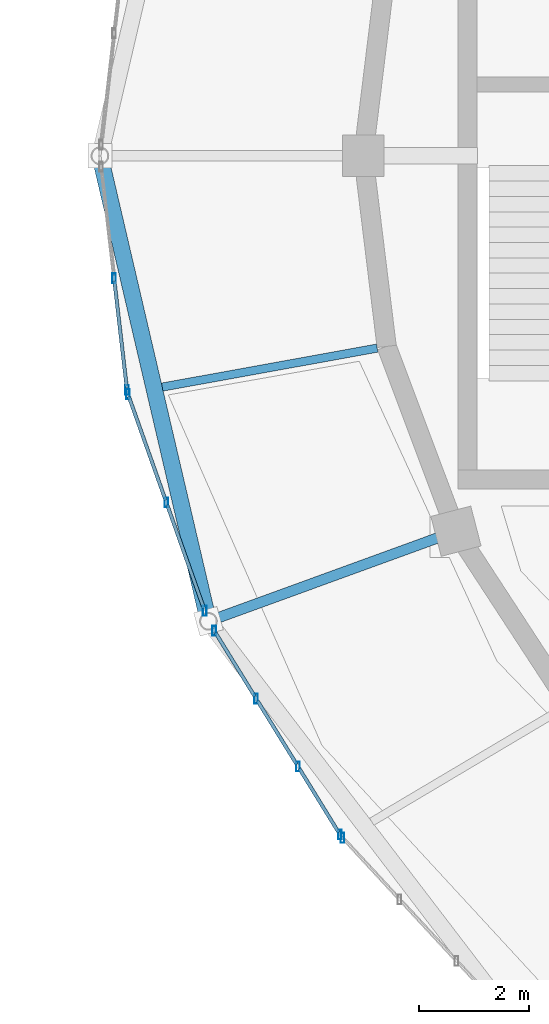
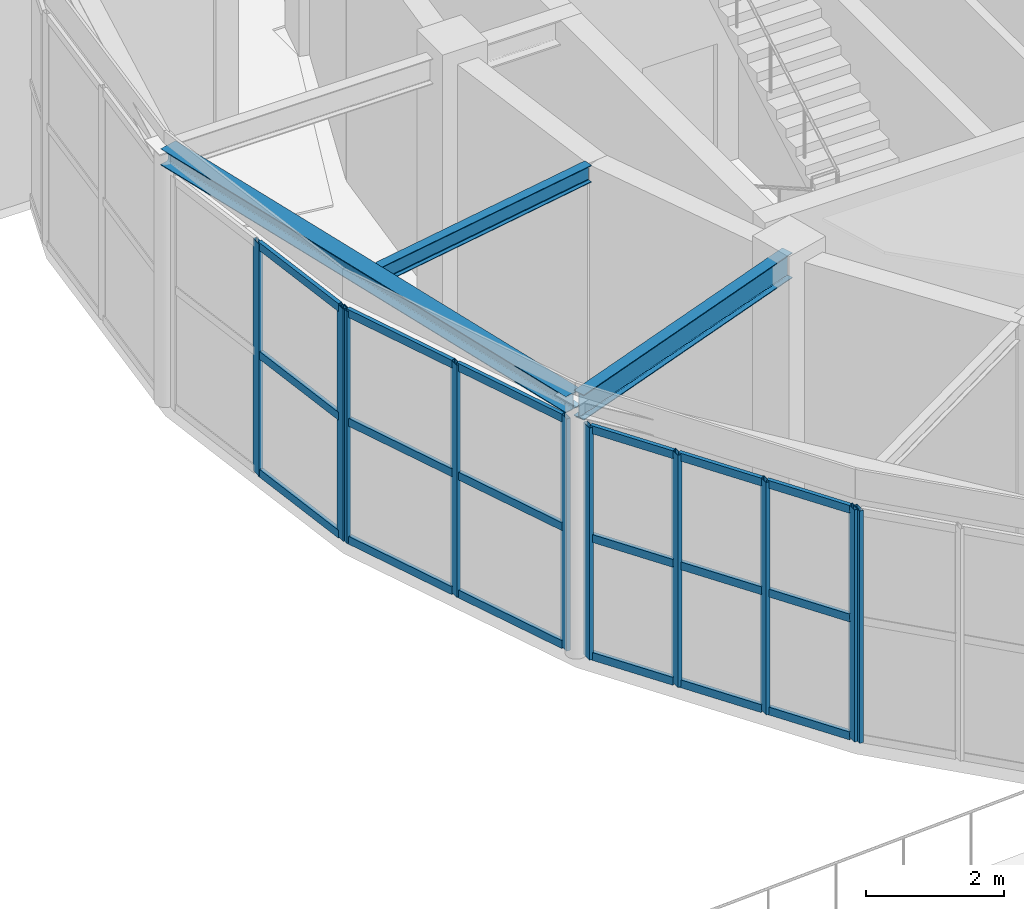
# One storey, part 29 of 108: 28 members, 3 beams, 4 elements without a shape of their own.
"""IFC4 building model written with IfcOpenShell, lengths in metres."""

from ifc_helpers import new_model, si_unit, direction, frame, origin, origin_2d, place, context, subcontext, project, spatial, hollow_rectangle, i_section, extrude, material, material_profile, profile_set, type_object, element, aggregate, save


model = new_model("IFC4")

# Units and contexts
model_context = context("Model", 3, precision=1e-05, world=origin(), true_north=direction((0.0, 1.0)))
body_context = subcontext(model_context, "Body", "Model", "MODEL_VIEW")
ifc_project = project(units=[si_unit("LENGTHUNIT", "METRE"), si_unit("AREAUNIT", "SQUARE_METRE"), si_unit("VOLUMEUNIT", "CUBIC_METRE"), si_unit("PLANEANGLEUNIT", "RADIAN"), si_unit("MASSUNIT", "GRAM", prefix="KILO")], contexts=[model_context])

# Site, building, storey
site_placement = place(None, origin())
site = spatial("IfcSite", under=ifc_project, at=site_placement, CompositionType="ELEMENT")
building_placement = place(site_placement, origin())
building = spatial("IfcBuilding", under=site, at=building_placement, Name="Tarnveldt Headland Concert Hall", CompositionType="ELEMENT")
storey_placement = place(building_placement, frame((0.0, 0.0, 9.60009765625)))
storey = spatial("IfcBuildingStorey", under=building, at=storey_placement, Name="L02", CompositionType="ELEMENT", Elevation=9.60009765625)

# Curtain wall, members
ifc_material_1 = material(Name="Marine-anodised aluminium EN AW-6063-T6", Category="aluminium")
curtain_wall_type = type_object("IfcCurtainWallType", Name="CW-F3", PredefinedType="NOTDEFINED", material=ifc_material_1)
curtain_wall_1_placement = place(storey_placement, origin())
curtain_wall_1 = element("IfcCurtainWall", 1, at=curtain_wall_1_placement, inside=storey, type_object=curtain_wall_type, Name="Curtain wall CW-L02-078", PredefinedType="NOTDEFINED")
ifc_material_profile_1 = material_profile(ifc_material_1, hollow_rectangle(XDim=0.06494140625, YDim=0.179931640625, WallThickness=0.00390625, at=origin_2d()), Name="ALU MULLION 65x180x4", Category="aluminium")
ifc_profile_set_1 = profile_set([ifc_material_profile_1], Name="Marine-anodised aluminium EN AW-6063-T6")
member_type_1 = type_object("IfcMemberType", Name="ML-180", PredefinedType="MULLION", material=ifc_profile_set_1)
member_1_placement = place(storey_placement, frame((50.95849609375, 52.266357421875, 0.0), z_axis=(0.0, 0.0, 1.0), x_axis=(1.0, 0.0, 0.0)))
member_1 = element("IfcMember", 2, at=member_1_placement, type_object=member_type_1, Name="Mullion CW-L02-078-2", PredefinedType="MULLION", context=body_context, shape_type="SweptSolid", body=[
    extrude(hollow_rectangle(XDim=0.06494140625, YDim=0.179931640625, WallThickness=0.00390625, at=origin_2d()), origin(), (0.0, 0.0, 1.0), 4.10791015625),
])
member_2_placement = place(storey_placement, frame((51.193603515625, 50.233154296875, 0.0), z_axis=(0.0, 0.0, 1.0), x_axis=(1.0, 0.0, 0.0)))
member_2 = element("IfcMember", 3, at=member_2_placement, type_object=member_type_1, Name="Mullion CW-L02-078-3", PredefinedType="MULLION", context=body_context, shape_type="SweptSolid", body=[
    extrude(hollow_rectangle(XDim=0.06494140625, YDim=0.179931640625, WallThickness=0.00390625, at=origin_2d()), origin(), (0.0, 0.0, 1.0), 4.10791015625),
])

curtain_wall_2_placement = place(storey_placement, origin())
curtain_wall_2 = element("IfcCurtainWall", 4, at=curtain_wall_2_placement, inside=storey, type_object=curtain_wall_type, Name="Curtain wall CW-L02-079", PredefinedType="NOTDEFINED")
member_3_placement = place(storey_placement, frame((51.211669921875, 50.15576171875, 0.0), z_axis=(0.0, 0.0, 1.0), x_axis=(1.0, 0.0, 0.0)))
member_3 = element("IfcMember", 5, at=member_3_placement, type_object=member_type_1, Name="Mullion CW-L02-079-1", PredefinedType="MULLION", context=body_context, shape_type="SweptSolid", body=[
    extrude(hollow_rectangle(XDim=0.06494140625, YDim=0.179931640625, WallThickness=0.00390625, at=origin_2d()), origin(), (0.0, 0.0, 1.0), 4.10791015625),
])
member_4_placement = place(storey_placement, frame((51.9111328125, 48.18212890625, 0.0), z_axis=(0.0, 0.0, 1.0), x_axis=(1.0, 0.0, 0.0)))
member_4 = element("IfcMember", 6, at=member_4_placement, type_object=member_type_1, Name="Mullion CW-L02-079-2", PredefinedType="MULLION", context=body_context, shape_type="SweptSolid", body=[
    extrude(hollow_rectangle(XDim=0.06494140625, YDim=0.179931640625, WallThickness=0.00390625, at=origin_2d()), origin(), (0.0, 0.0, 1.0), 4.10791015625),
])
member_5_placement = place(storey_placement, frame((52.610595703125, 46.208251953125, 0.0), z_axis=(0.0, 0.0, 1.0), x_axis=(1.0, 0.0, 0.0)))
member_5 = element("IfcMember", 7, at=member_5_placement, type_object=member_type_1, Name="Mullion CW-L02-079-3", PredefinedType="MULLION", context=body_context, shape_type="SweptSolid", body=[
    extrude(hollow_rectangle(XDim=0.06494140625, YDim=0.179931640625, WallThickness=0.00390625, at=origin_2d()), origin(), (0.0, 0.0, 1.0), 4.10791015625),
])

curtain_wall_3_placement = place(storey_placement, origin())
curtain_wall_3 = element("IfcCurtainWall", 8, at=curtain_wall_3_placement, inside=storey, type_object=curtain_wall_type, Name="Curtain wall CW-L02-080", PredefinedType="NOTDEFINED")
member_6_placement = place(storey_placement, frame((52.7841796875, 45.845947265625, 0.0), z_axis=(0.0, 0.0, 1.0), x_axis=(1.0, 0.0, 0.0)))
member_6 = element("IfcMember", 9, at=member_6_placement, type_object=member_type_1, Name="Mullion CW-L02-080-1", PredefinedType="MULLION", context=body_context, shape_type="SweptSolid", body=[
    extrude(hollow_rectangle(XDim=0.06494140625, YDim=0.179931640625, WallThickness=0.00390625, at=origin_2d()), origin(), (0.0, 0.0, 1.0), 4.10791015625),
])
member_7_placement = place(storey_placement, frame((53.547119140625, 44.608642578125, 0.0), z_axis=(0.0, 0.0, 1.0), x_axis=(1.0, 0.0, 0.0)))
member_7 = element("IfcMember", 10, at=member_7_placement, type_object=member_type_1, Name="Mullion CW-L02-080-2", PredefinedType="MULLION", context=body_context, shape_type="SweptSolid", body=[
    extrude(hollow_rectangle(XDim=0.06494140625, YDim=0.179931640625, WallThickness=0.00390625, at=origin_2d()), origin(), (0.0, 0.0, 1.0), 4.10791015625),
])
member_8_placement = place(storey_placement, frame((54.310302734375, 43.371337890625, 0.0), z_axis=(0.0, 0.0, 1.0), x_axis=(1.0, 0.0, 0.0)))
member_8 = element("IfcMember", 11, at=member_8_placement, type_object=member_type_1, Name="Mullion CW-L02-080-3", PredefinedType="MULLION", context=body_context, shape_type="SweptSolid", body=[
    extrude(hollow_rectangle(XDim=0.06494140625, YDim=0.179931640625, WallThickness=0.00390625, at=origin_2d()), origin(), (0.0, 0.0, 1.0), 4.10791015625),
])
member_9_placement = place(storey_placement, frame((55.073486328125, 42.134033203125, 0.0), z_axis=(0.0, 0.0, 1.0), x_axis=(1.0, 0.0, 0.0)))
member_9 = element("IfcMember", 12, at=member_9_placement, type_object=member_type_1, Name="Mullion CW-L02-080-4", PredefinedType="MULLION", context=body_context, shape_type="SweptSolid", body=[
    extrude(hollow_rectangle(XDim=0.06494140625, YDim=0.179931640625, WallThickness=0.00390625, at=origin_2d()), origin(), (0.0, 0.0, 1.0), 4.10791015625),
])

# Curtain wall, member
curtain_wall_4_placement = place(storey_placement, origin())
curtain_wall_4 = element("IfcCurtainWall", 13, at=curtain_wall_4_placement, inside=storey, type_object=curtain_wall_type, Name="Curtain wall CW-L02-081", PredefinedType="NOTDEFINED")
member_10_placement = place(storey_placement, frame((55.12158203125, 42.07080078125, 0.0), z_axis=(0.0, 0.0, 1.0), x_axis=(1.0, 0.0, 0.0)))
member_10 = element("IfcMember", 14, at=member_10_placement, type_object=member_type_1, Name="Mullion CW-L02-081-1", PredefinedType="MULLION", context=body_context, shape_type="SweptSolid", body=[
    extrude(hollow_rectangle(XDim=0.06494140625, YDim=0.179931640625, WallThickness=0.00390625, at=origin_2d()), origin(), (0.0, 0.0, 1.0), 4.10791015625),
])
aggregate(curtain_wall_4, [member_10])

# Beams
ifc_material_2 = material(Name="Steel S355", Category="steel")
ifc_material_profile_2 = material_profile(ifc_material_2, i_section(OverallWidth=0.300048828125, OverallDepth=0.2900390625, WebThickness=0.008544921875, FlangeThickness=0.013916015625, FilletRadius=0.027099609375, at=origin_2d()), Name="HEA300", Category="steel")
ifc_profile_set_2 = profile_set([ifc_material_profile_2], Name="Steel S355")
beam_type_1 = type_object("IfcBeamType", Name="SB-HEA300", PredefinedType="SPANDREL", material=ifc_profile_set_2)
beam_1_placement = place(storey_placement, frame((50.713623046875, 54.441650390625, 4.4248046875), z_axis=(0.227123591729, -0.973865942561, 0.0), x_axis=(0.973865942561, 0.227123591729, 0.0)))
element("IfcBeam", 15, at=beam_1_placement, inside=storey, type_object=beam_type_1, Name="Framing beam L02-1022", PredefinedType="SPANDREL", context=body_context, shape_type="SweptSolid", body=[
    extrude(i_section(OverallWidth=0.300048828125, OverallDepth=0.2900390625, WebThickness=0.008544921875, FlangeThickness=0.013916015625, FilletRadius=0.027099609375, at=origin_2d()), origin(), (0.0, 0.0, 1.0), 8.589599609375),
])
ifc_material_profile_3 = material_profile(ifc_material_2, i_section(OverallWidth=0.14990234375, OverallDepth=0.300048828125, WebThickness=0.007080078125, FlangeThickness=0.0107421875, FilletRadius=0.014892578125, at=origin_2d()), Name="IPE300", Category="steel")
ifc_profile_set_3 = profile_set([ifc_material_profile_3], Name="Steel S355")
beam_type_2 = type_object("IfcBeamType", Name="SB-IPE300", PredefinedType="JOIST", material=ifc_profile_set_3)
beam_2_placement = place(storey_placement, frame((55.753173828125, 50.995849609375, 4.419921875), z_axis=(-0.983953220183, -0.178426624954, 0.0), x_axis=(0.178426624954, -0.983953220183, 0.0)))
element("IfcBeam", 16, at=beam_2_placement, inside=storey, type_object=beam_type_2, Name="Framing beam L02-1024", PredefinedType="JOIST", context=body_context, shape_type="SweptSolid", body=[
    extrude(i_section(OverallWidth=0.14990234375, OverallDepth=0.300048828125, WebThickness=0.007080078125, FlangeThickness=0.0107421875, FilletRadius=0.014892578125, at=origin_2d()), origin(), (0.0, 0.0, 1.0), 3.98046875),
])
ifc_material_profile_4 = material_profile(ifc_material_2, i_section(OverallWidth=0.18994140625, OverallDepth=0.449951171875, WebThickness=0.009521484375, FlangeThickness=0.0146484375, FilletRadius=0.02099609375, at=origin_2d()), Name="IPE450", Category="steel")
ifc_profile_set_4 = profile_set([ifc_material_profile_4], Name="Steel S355")
beam_type_3 = type_object("IfcBeamType", Name="SB-IPE450", PredefinedType="BEAM", material=ifc_profile_set_4)
beam_3_placement = place(storey_placement, frame((57.15087890625, 47.64599609375, 4.344970703125), z_axis=(-0.939673545823, -0.34207254681, 0.0), x_axis=(0.34207254681, -0.939673545823, 0.0)))
element("IfcBeam", 17, at=beam_3_placement, inside=storey, type_object=beam_type_3, Name="Framing beam L02-1026", PredefinedType="BEAM", context=body_context, shape_type="SweptSolid", body=[
    extrude(i_section(OverallWidth=0.18994140625, OverallDepth=0.449951171875, WebThickness=0.009521484375, FlangeThickness=0.0146484375, FilletRadius=0.02099609375, at=origin_2d()), origin(), (0.0, 0.0, 1.0), 4.69970703125),
])

# Member
ifc_material_profile_5 = material_profile(ifc_material_1, hollow_rectangle(XDim=0.06494140625, YDim=0.139892578125, WallThickness=0.00390625, at=origin_2d()), Name="ALU TRANSOM 65x140x4", Category="aluminium")
ifc_profile_set_5 = profile_set([ifc_material_profile_5], Name="Marine-anodised aluminium EN AW-6063-T6")
member_type_2 = type_object("IfcMemberType", Name="TR-140", PredefinedType="MEMBER", material=ifc_profile_set_5)
member_11_placement = place(storey_placement, frame((50.963623046875, 52.22216796875, 0.0498046875), z_axis=(0.114974356036, -0.993368460066, 0.0), x_axis=(0.993368460066, 0.114974356036, 0.0)))
member_11 = element("IfcMember", 18, at=member_11_placement, type_object=member_type_2, Name="Transom CW-L02-078-2-1", PredefinedType="MEMBER", context=body_context, shape_type="SweptSolid", body=[
    extrude(hollow_rectangle(XDim=0.06494140625, YDim=0.139892578125, WallThickness=0.00390625, at=origin_2d()), origin(), (0.0, 0.0, 1.0), 1.957763671875),
])

member_12_placement = place(storey_placement, frame((50.963623046875, 52.22216796875, 2.135986328125), z_axis=(0.114974356036, -0.993368460066, 0.0), x_axis=(0.993368460066, 0.114974356036, 0.0)))
member_12 = element("IfcMember", 19, at=member_12_placement, type_object=member_type_2, Name="Transom CW-L02-078-2-2", PredefinedType="MEMBER", context=body_context, shape_type="SweptSolid", body=[
    extrude(hollow_rectangle(XDim=0.06494140625, YDim=0.139892578125, WallThickness=0.00390625, at=origin_2d()), origin(), (0.0, 0.0, 1.0), 1.957763671875),
])

member_13_placement = place(storey_placement, frame((50.963623046875, 52.22216796875, 4.057861328125), z_axis=(0.114974356036, -0.993368460066, 0.0), x_axis=(0.993368460066, 0.114974356036, 0.0)))
member_13 = element("IfcMember", 20, at=member_13_placement, type_object=member_type_2, Name="Transom CW-L02-078-2-3", PredefinedType="MEMBER", context=body_context, shape_type="SweptSolid", body=[
    extrude(hollow_rectangle(XDim=0.06494140625, YDim=0.139892578125, WallThickness=0.00390625, at=origin_2d()), origin(), (0.0, 0.0, 1.0), 1.957763671875),
])

aggregate(curtain_wall_1, [member_1, member_2, member_11, member_12, member_13])

member_14_placement = place(storey_placement, frame((51.2265625, 50.114013671875, 0.0498046875), z_axis=(0.333998157028, -0.942573727144, 0.0), x_axis=(0.942573727144, 0.333998157028, 0.0)))
member_14 = element("IfcMember", 21, at=member_14_placement, type_object=member_type_2, Name="Transom CW-L02-079-1-1", PredefinedType="MEMBER", context=body_context, shape_type="SweptSolid", body=[
    extrude(hollow_rectangle(XDim=0.06494140625, YDim=0.139892578125, WallThickness=0.00390625, at=origin_2d()), origin(), (0.0, 0.0, 1.0), 2.005126953125),
])

member_15_placement = place(storey_placement, frame((51.2265625, 50.114013671875, 2.135986328125), z_axis=(0.333998157028, -0.942573727144, 0.0), x_axis=(0.942573727144, 0.333998157028, 0.0)))
member_15 = element("IfcMember", 22, at=member_15_placement, type_object=member_type_2, Name="Transom CW-L02-079-1-2", PredefinedType="MEMBER", context=body_context, shape_type="SweptSolid", body=[
    extrude(hollow_rectangle(XDim=0.06494140625, YDim=0.139892578125, WallThickness=0.00390625, at=origin_2d()), origin(), (0.0, 0.0, 1.0), 2.005126953125),
])

member_16_placement = place(storey_placement, frame((51.2265625, 50.114013671875, 4.057861328125), z_axis=(0.333998157028, -0.942573727144, 0.0), x_axis=(0.942573727144, 0.333998157028, 0.0)))
member_16 = element("IfcMember", 23, at=member_16_placement, type_object=member_type_2, Name="Transom CW-L02-079-1-3", PredefinedType="MEMBER", context=body_context, shape_type="SweptSolid", body=[
    extrude(hollow_rectangle(XDim=0.06494140625, YDim=0.139892578125, WallThickness=0.00390625, at=origin_2d()), origin(), (0.0, 0.0, 1.0), 2.005126953125),
])

member_17_placement = place(storey_placement, frame((51.926025390625, 48.14013671875, 0.0498046875), z_axis=(0.333998157028, -0.942573727144, 0.0), x_axis=(0.942573727144, 0.333998157028, 0.0)))
member_17 = element("IfcMember", 24, at=member_17_placement, type_object=member_type_2, Name="Transom CW-L02-079-2-1", PredefinedType="MEMBER", context=body_context, shape_type="SweptSolid", body=[
    extrude(hollow_rectangle(XDim=0.06494140625, YDim=0.139892578125, WallThickness=0.00390625, at=origin_2d()), origin(), (0.0, 0.0, 1.0), 2.005126953125),
])

member_18_placement = place(storey_placement, frame((51.926025390625, 48.14013671875, 2.135986328125), z_axis=(0.333998157028, -0.942573727144, 0.0), x_axis=(0.942573727144, 0.333998157028, 0.0)))
member_18 = element("IfcMember", 25, at=member_18_placement, type_object=member_type_2, Name="Transom CW-L02-079-2-2", PredefinedType="MEMBER", context=body_context, shape_type="SweptSolid", body=[
    extrude(hollow_rectangle(XDim=0.06494140625, YDim=0.139892578125, WallThickness=0.00390625, at=origin_2d()), origin(), (0.0, 0.0, 1.0), 2.005126953125),
])

member_19_placement = place(storey_placement, frame((51.926025390625, 48.14013671875, 4.057861328125), z_axis=(0.333998157028, -0.942573727144, 0.0), x_axis=(0.942573727144, 0.333998157028, 0.0)))
member_19 = element("IfcMember", 26, at=member_19_placement, type_object=member_type_2, Name="Transom CW-L02-079-2-3", PredefinedType="MEMBER", context=body_context, shape_type="SweptSolid", body=[
    extrude(hollow_rectangle(XDim=0.06494140625, YDim=0.139892578125, WallThickness=0.00390625, at=origin_2d()), origin(), (0.0, 0.0, 1.0), 2.005126953125),
])

aggregate(curtain_wall_2, [member_3, member_4, member_5, member_14, member_15, member_16, member_17, member_18, member_19])

member_20_placement = place(storey_placement, frame((52.8076171875, 45.80810546875, 0.0498046875), z_axis=(0.524746114074, -0.851258783076, 0.0), x_axis=(0.851258783076, 0.524746114074, 0.0)))
member_20 = element("IfcMember", 27, at=member_20_placement, type_object=member_type_2, Name="Transom CW-L02-080-1-1", PredefinedType="MEMBER", context=body_context, shape_type="SweptSolid", body=[
    extrude(hollow_rectangle(XDim=0.06494140625, YDim=0.139892578125, WallThickness=0.00390625, at=origin_2d()), origin(), (0.0, 0.0, 1.0), 1.364501953125),
])

member_21_placement = place(storey_placement, frame((52.8076171875, 45.80810546875, 2.135986328125), z_axis=(0.524746114074, -0.851258783076, 0.0), x_axis=(0.851258783076, 0.524746114074, 0.0)))
member_21 = element("IfcMember", 28, at=member_21_placement, type_object=member_type_2, Name="Transom CW-L02-080-1-2", PredefinedType="MEMBER", context=body_context, shape_type="SweptSolid", body=[
    extrude(hollow_rectangle(XDim=0.06494140625, YDim=0.139892578125, WallThickness=0.00390625, at=origin_2d()), origin(), (0.0, 0.0, 1.0), 1.364501953125),
])

member_22_placement = place(storey_placement, frame((52.8076171875, 45.80810546875, 4.057861328125), z_axis=(0.524746114074, -0.851258783076, 0.0), x_axis=(0.851258783076, 0.524746114074, 0.0)))
member_22 = element("IfcMember", 29, at=member_22_placement, type_object=member_type_2, Name="Transom CW-L02-080-1-3", PredefinedType="MEMBER", context=body_context, shape_type="SweptSolid", body=[
    extrude(hollow_rectangle(XDim=0.06494140625, YDim=0.139892578125, WallThickness=0.00390625, at=origin_2d()), origin(), (0.0, 0.0, 1.0), 1.364501953125),
])

member_23_placement = place(storey_placement, frame((53.570556640625, 44.57080078125, 0.0498046875), z_axis=(0.524875742193, -0.851178862083, 0.0), x_axis=(0.851178862083, 0.524875742193, 0.0)))
member_23 = element("IfcMember", 30, at=member_23_placement, type_object=member_type_2, Name="Transom CW-L02-080-2-1", PredefinedType="MEMBER", context=body_context, shape_type="SweptSolid", body=[
    extrude(hollow_rectangle(XDim=0.06494140625, YDim=0.139892578125, WallThickness=0.00390625, at=origin_2d()), origin(), (0.0, 0.0, 1.0), 1.36474609375),
])

member_24_placement = place(storey_placement, frame((53.570556640625, 44.57080078125, 2.135986328125), z_axis=(0.524875742193, -0.851178862083, 0.0), x_axis=(0.851178862083, 0.524875742193, 0.0)))
member_24 = element("IfcMember", 31, at=member_24_placement, type_object=member_type_2, Name="Transom CW-L02-080-2-2", PredefinedType="MEMBER", context=body_context, shape_type="SweptSolid", body=[
    extrude(hollow_rectangle(XDim=0.06494140625, YDim=0.139892578125, WallThickness=0.00390625, at=origin_2d()), origin(), (0.0, 0.0, 1.0), 1.36474609375),
])

member_25_placement = place(storey_placement, frame((53.570556640625, 44.57080078125, 4.057861328125), z_axis=(0.524875742193, -0.851178862083, 0.0), x_axis=(0.851178862083, 0.524875742193, 0.0)))
member_25 = element("IfcMember", 32, at=member_25_placement, type_object=member_type_2, Name="Transom CW-L02-080-2-3", PredefinedType="MEMBER", context=body_context, shape_type="SweptSolid", body=[
    extrude(hollow_rectangle(XDim=0.06494140625, YDim=0.139892578125, WallThickness=0.00390625, at=origin_2d()), origin(), (0.0, 0.0, 1.0), 1.36474609375),
])

member_26_placement = place(storey_placement, frame((54.333740234375, 43.33349609375, 0.0498046875), z_axis=(0.524875742193, -0.851178862083, 0.0), x_axis=(0.851178862083, 0.524875742193, 0.0)))
member_26 = element("IfcMember", 33, at=member_26_placement, type_object=member_type_2, Name="Transom CW-L02-080-3-1", PredefinedType="MEMBER", context=body_context, shape_type="SweptSolid", body=[
    extrude(hollow_rectangle(XDim=0.06494140625, YDim=0.139892578125, WallThickness=0.00390625, at=origin_2d()), origin(), (0.0, 0.0, 1.0), 1.36474609375),
])

member_27_placement = place(storey_placement, frame((54.333740234375, 43.33349609375, 2.135986328125), z_axis=(0.524875742193, -0.851178862083, 0.0), x_axis=(0.851178862083, 0.524875742193, 0.0)))
member_27 = element("IfcMember", 34, at=member_27_placement, type_object=member_type_2, Name="Transom CW-L02-080-3-2", PredefinedType="MEMBER", context=body_context, shape_type="SweptSolid", body=[
    extrude(hollow_rectangle(XDim=0.06494140625, YDim=0.139892578125, WallThickness=0.00390625, at=origin_2d()), origin(), (0.0, 0.0, 1.0), 1.36474609375),
])

member_28_placement = place(storey_placement, frame((54.333740234375, 43.33349609375, 4.057861328125), z_axis=(0.524875742193, -0.851178862083, 0.0), x_axis=(0.851178862083, 0.524875742193, 0.0)))
member_28 = element("IfcMember", 35, at=member_28_placement, type_object=member_type_2, Name="Transom CW-L02-080-3-3", PredefinedType="MEMBER", context=body_context, shape_type="SweptSolid", body=[
    extrude(hollow_rectangle(XDim=0.06494140625, YDim=0.139892578125, WallThickness=0.00390625, at=origin_2d()), origin(), (0.0, 0.0, 1.0), 1.36474609375),
])

aggregate(curtain_wall_3, [member_6, member_7, member_8, member_9, member_20, member_21, member_22, member_23, member_24, member_25, member_26, member_27, member_28])

save(model, "model.ifc")
